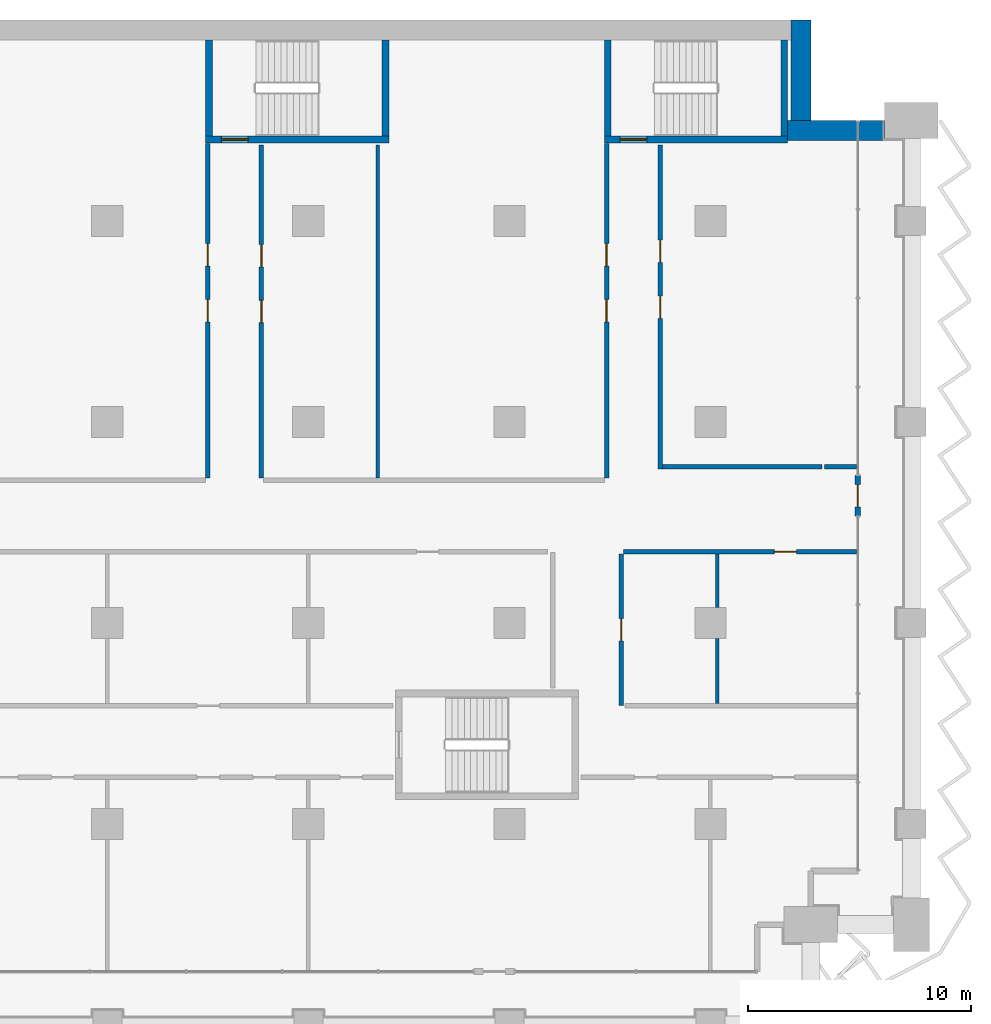
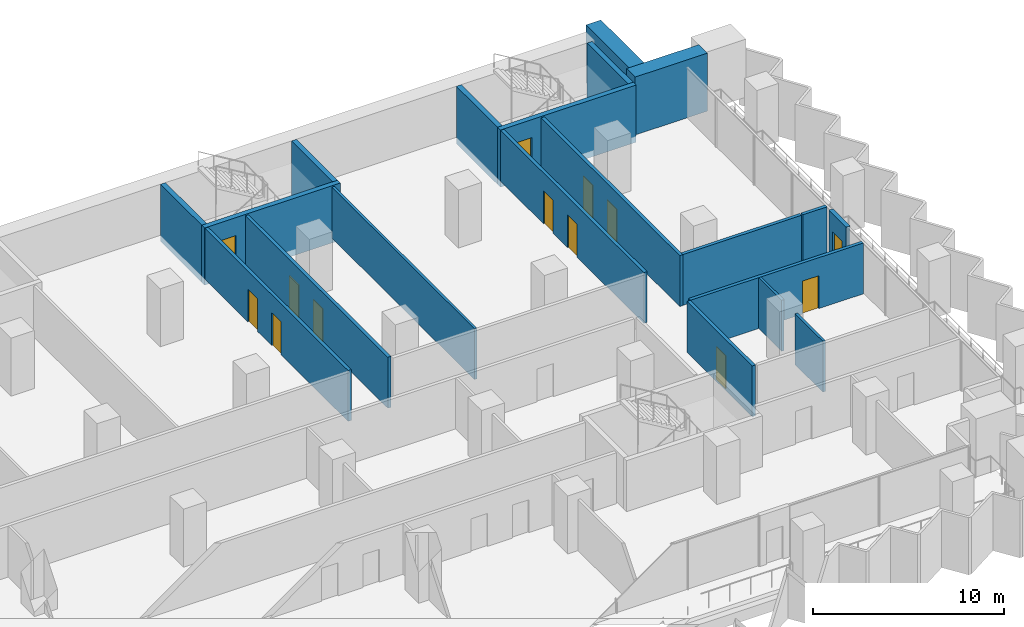
# One storey, part 18 of 28: 20 walls, 13 doors, 13 openings.
"""IFC4 building model written with IfcOpenShell, lengths in metres."""

from ifc_helpers import new_model, si_unit, direction, frame, frame_2d, origin, place, context, subcontext, project, spatial, rectangle, extrude, material, layer, layer_set, type_object, element, fill, save


model = new_model("IFC4")

# Units and contexts
model_context = context("Model", 3, precision=1e-05, world=origin(), true_north=direction((0.0, 1.0)))
body_context = subcontext(model_context, "Body", "Model", "MODEL_VIEW")
ifc_project = project(units=[si_unit("LENGTHUNIT", "METRE"), si_unit("AREAUNIT", "SQUARE_METRE"), si_unit("VOLUMEUNIT", "CUBIC_METRE"), si_unit("PLANEANGLEUNIT", "RADIAN"), si_unit("MASSUNIT", "GRAM", prefix="KILO")], contexts=[model_context])

# Site, building, storey
site_placement = place(None, origin())
site = spatial("IfcSite", under=ifc_project, at=site_placement, CompositionType="ELEMENT")
building_placement = place(site_placement, origin())
building = spatial("IfcBuilding", under=site, at=building_placement, Name="Hunhe Ridgeline Campus", CompositionType="ELEMENT")
storey_placement = place(building_placement, frame((0.0, 0.0, 76.5)))
storey = spatial("IfcBuildingStorey", under=building, at=storey_placement, Name="L18", CompositionType="ELEMENT", Elevation=76.5)

# Wall, opening, door
ifc_material_1 = material(Name="Gypsum board partition")
ifc_layer_1 = layer(ifc_material_1, 0.199951171875)
ifc_layer_set_1 = layer_set([ifc_layer_1], Name="Corridor partition 200 gypsum board on steel studs")
wall_type_1 = type_object("IfcWallType", Name="Corridor partition 200 gypsum board on steel studs", PredefinedType="PARTITIONING", material=ifc_layer_set_1)
wall_1_placement = place(storey_placement, frame((96.544921875, 75.199951171875, 0.0), z_axis=(0.0, 0.0, 1.0), x_axis=(-1.0, 0.0, 0.0)))
wall_1 = element("IfcWall", 1, at=wall_1_placement, inside=storey, type_object=wall_type_1, Name="F-L18-wall-038", PredefinedType="PARTITIONING", context=body_context, shape_type="SweptSolid", body=[
    extrude(rectangle(XDim=10.44482421875, YDim=0.199951171875, at=frame_2d((5.222412109375, 0.0))), origin(), (0.0, 0.0, 1.0), 3.25),
])
opening_1_placement = place(wall_1_placement, frame((2.6845703125, 0.0, 0.0)))
opening_1 = element("IfcOpeningElement", 2, at=opening_1_placement, cuts=wall_1, Name="Opening RD1-035", PredefinedType="OPENING", context=body_context, shape_type="SweptSolid", body=[
    extrude(rectangle(XDim=1.0, YDim=2.10009765625, at=frame_2d((0.5, 1.050048828125))), frame((0.0, 0.10009765625, 0.0), z_axis=(0.0, -1.0, 0.0), x_axis=(1.0, 0.0, 0.0)), (0.0, 0.0, 1.0), 0.199951171875),
])
ifc_material_2 = material(Name="Timber door leaf", Category="wood")
door_type_1 = type_object("IfcDoorType", Name="Single fire door 1000x2100 timber FD60", OperationType="NOTDEFINED", PredefinedType="DOOR", material=ifc_material_2)
door_1_placement = place(opening_1_placement, origin())
door_1 = element("IfcDoor", 3, at=door_1_placement, inside=storey, type_object=door_type_1, Name="F-L18-door-035", OperationType="SINGLE_SWING_RIGHT", OverallHeight=2.10009765625, OverallWidth=1.0, PredefinedType="DOOR", context=body_context, shape_type="SweptSolid", body=[
    extrude(rectangle(XDim=1.0, YDim=2.10009765625, at=frame_2d((0.5, 1.050048828125))), frame((0.0, 0.02490234375, 0.0), z_axis=(0.0, -1.0, 0.0), x_axis=(1.0, 0.0, 0.0)), (0.0, 0.0, 1.0), 0.050048828125),
])
fill(opening_1, door_1)

# Walls
wall_2_placement = place(storey_placement, frame((87.85009765625, 79.0009765625, 0.0), z_axis=(0.0, 0.0, 1.0), x_axis=(1.0, 0.0, 0.0)))
element("IfcWall", 4, at=wall_2_placement, inside=storey, type_object=wall_type_1, Name="F-L18-wall-041", PredefinedType="PARTITIONING", context=body_context, shape_type="SweptSolid", body=[
    extrude(rectangle(XDim=7.14892578125, YDim=0.199951171875, at=frame_2d((3.574462890625, 0.0))), origin(), (0.0, 0.0, 1.0), 3.25),
])
wall_3_placement = place(storey_placement, frame((95.09912109375, 79.0009765625, 0.0), z_axis=(0.0, 0.0, 1.0), x_axis=(1.0, 0.0, 0.0)))
element("IfcWall", 5, at=wall_3_placement, inside=storey, type_object=wall_type_1, Name="F-L18-wall-042", PredefinedType="PARTITIONING", context=body_context, shape_type="SweptSolid", body=[
    extrude(rectangle(XDim=1.44580078125, YDim=0.199951171875, at=frame_2d((0.722900390625, 0.0))), origin(), (0.0, 0.0, 1.0), 3.25),
])

# Wall, openings, doors
wall_4_placement = place(storey_placement, frame((67.5, 78.5, 0.0), z_axis=(0.0, 0.0, 1.0), x_axis=(0.0, 1.0, 0.0)))
wall_4 = element("IfcWall", 6, at=wall_4_placement, inside=storey, type_object=wall_type_1, Name="F-L18-wall-078", PredefinedType="PARTITIONING", context=body_context, shape_type="SweptSolid", body=[
    extrude(rectangle(XDim=14.969970703125, YDim=0.199951171875, at=frame_2d((7.48486328125, 0.0))), origin(), (0.0, 0.0, 1.0), 3.25),
])
opening_2_placement = place(wall_4_placement, frame((6.985107421875, 0.0, 0.0)))
opening_2 = element("IfcOpeningElement", 7, at=opening_2_placement, cuts=wall_4, Name="Opening RD1-040", PredefinedType="OPENING", context=body_context, shape_type="SweptSolid", body=[
    extrude(rectangle(XDim=1.0, YDim=2.10009765625, at=frame_2d((0.5, 1.050048828125))), frame((0.0, 0.10009765625, 0.0), z_axis=(0.0, -1.0, 0.0), x_axis=(1.0, 0.0, 0.0)), (0.0, 0.0, 1.0), 0.199951171875),
])
opening_3_placement = place(wall_4_placement, frame((9.485107421875, 0.0, 0.0)))
opening_3 = element("IfcOpeningElement", 8, at=opening_3_placement, cuts=wall_4, Name="Opening RD1-045", PredefinedType="OPENING", context=body_context, shape_type="SweptSolid", body=[
    extrude(rectangle(XDim=1.0, YDim=2.10009765625, at=frame_2d((0.5, 1.050048828125))), frame((0.0, 0.10009765625, 0.0), z_axis=(0.0, -1.0, 0.0), x_axis=(1.0, 0.0, 0.0)), (0.0, 0.0, 1.0), 0.199951171875),
])
door_2_placement = place(opening_2_placement, frame((1.0, 0.0, 0.0), z_axis=(0.0, 0.0, 1.0), x_axis=(-1.0, 0.0, 0.0)))
door_2 = element("IfcDoor", 9, at=door_2_placement, inside=storey, type_object=door_type_1, Name="F-L18-door-040", OperationType="SINGLE_SWING_LEFT", OverallHeight=2.10009765625, OverallWidth=1.0, PredefinedType="DOOR", context=body_context, shape_type="SweptSolid", body=[
    extrude(rectangle(XDim=1.0, YDim=2.10009765625, at=frame_2d((0.5, 1.050048828125))), frame((0.0, 0.02490234375, 0.0), z_axis=(0.0, -1.0, 0.0), x_axis=(1.0, 0.0, 0.0)), (0.0, 0.0, 1.0), 0.050048828125),
])
fill(opening_2, door_2)
door_3_placement = place(opening_3_placement, frame((1.0, 0.0, 0.0), z_axis=(0.0, 0.0, 1.0), x_axis=(-1.0, 0.0, 0.0)))
door_3 = element("IfcDoor", 10, at=door_3_placement, inside=storey, type_object=door_type_1, Name="F-L18-door-045", OperationType="SINGLE_SWING_LEFT", OverallHeight=2.10009765625, OverallWidth=1.0, PredefinedType="DOOR", context=body_context, shape_type="SweptSolid", body=[
    extrude(rectangle(XDim=1.0, YDim=2.10009765625, at=frame_2d((0.5, 1.050048828125))), frame((0.0, 0.02490234375, 0.0), z_axis=(0.0, -1.0, 0.0), x_axis=(1.0, 0.0, 0.0)), (0.0, 0.0, 1.0), 0.050048828125),
])
fill(opening_3, door_3)

wall_5_placement = place(storey_placement, frame((69.89990234375, 93.39599609375, 0.0), z_axis=(0.0, 0.0, 1.0), x_axis=(0.0, -1.0, 0.0)))
wall_5 = element("IfcWall", 11, at=wall_5_placement, inside=storey, type_object=wall_type_1, Name="F-L18-wall-079", PredefinedType="PARTITIONING", context=body_context, shape_type="SweptSolid", body=[
    extrude(rectangle(XDim=14.89599609375, YDim=0.199951171875, at=frame_2d((7.447998046875, 0.0))), origin(), (0.0, 0.0, 1.0), 3.25),
])
opening_4_placement = place(wall_5_placement, frame((6.947998046875, 0.0, 0.0)))
opening_4 = element("IfcOpeningElement", 12, at=opening_4_placement, cuts=wall_5, Name="Opening RD1-039", PredefinedType="OPENING", context=body_context, shape_type="SweptSolid", body=[
    extrude(rectangle(XDim=1.0, YDim=2.10009765625, at=frame_2d((0.5, 1.050048828125))), frame((0.0, 0.10009765625, 0.0), z_axis=(0.0, -1.0, 0.0), x_axis=(1.0, 0.0, 0.0)), (0.0, 0.0, 1.0), 0.199951171875),
])
opening_5_placement = place(wall_5_placement, frame((4.447998046875, 0.0, 0.0)))
opening_5 = element("IfcOpeningElement", 13, at=opening_5_placement, cuts=wall_5, Name="Opening RD1-044", PredefinedType="OPENING", context=body_context, shape_type="SweptSolid", body=[
    extrude(rectangle(XDim=1.0, YDim=2.10009765625, at=frame_2d((0.5, 1.050048828125))), frame((0.0, 0.10009765625, 0.0), z_axis=(0.0, -1.0, 0.0), x_axis=(1.0, 0.0, 0.0)), (0.0, 0.0, 1.0), 0.199951171875),
])
door_4_placement = place(opening_4_placement, frame((1.0, 0.0, 0.0), z_axis=(0.0, 0.0, 1.0), x_axis=(-1.0, 0.0, 0.0)))
door_4 = element("IfcDoor", 14, at=door_4_placement, inside=storey, type_object=door_type_1, Name="F-L18-door-039", OperationType="SINGLE_SWING_RIGHT", OverallHeight=2.10009765625, OverallWidth=1.0, PredefinedType="DOOR", context=body_context, shape_type="SweptSolid", body=[
    extrude(rectangle(XDim=1.0, YDim=2.10009765625, at=frame_2d((0.5, 1.050048828125))), frame((0.0, 0.02490234375, 0.0), z_axis=(0.0, -1.0, 0.0), x_axis=(1.0, 0.0, 0.0)), (0.0, 0.0, 1.0), 0.050048828125),
])
fill(opening_4, door_4)
door_5_placement = place(opening_5_placement, frame((1.0, 0.0, 0.0), z_axis=(0.0, 0.0, 1.0), x_axis=(-1.0, 0.0, 0.0)))
door_5 = element("IfcDoor", 15, at=door_5_placement, inside=storey, type_object=door_type_1, Name="F-L18-door-044", OperationType="SINGLE_SWING_RIGHT", OverallHeight=2.10009765625, OverallWidth=1.0, PredefinedType="DOOR", context=body_context, shape_type="SweptSolid", body=[
    extrude(rectangle(XDim=1.0, YDim=2.10009765625, at=frame_2d((0.5, 1.050048828125))), frame((0.0, 0.02490234375, 0.0), z_axis=(0.0, -1.0, 0.0), x_axis=(1.0, 0.0, 0.0)), (0.0, 0.0, 1.0), 0.050048828125),
])
fill(opening_5, door_5)

wall_6_placement = place(storey_placement, frame((85.35009765625, 78.5, 0.0), z_axis=(0.0, 0.0, 1.0), x_axis=(0.0, 1.0, 0.0)))
wall_6 = element("IfcWall", 16, at=wall_6_placement, inside=storey, type_object=wall_type_1, Name="F-L18-wall-086", PredefinedType="PARTITIONING", context=body_context, shape_type="SweptSolid", body=[
    extrude(rectangle(XDim=14.969970703125, YDim=0.199951171875, at=frame_2d((7.48486328125, 0.0))), origin(), (0.0, 0.0, 1.0), 3.25),
])
opening_6_placement = place(wall_6_placement, frame((6.985107421875, 0.0, 0.0)))
opening_6 = element("IfcOpeningElement", 17, at=opening_6_placement, cuts=wall_6, Name="Opening RD1-041", PredefinedType="OPENING", context=body_context, shape_type="SweptSolid", body=[
    extrude(rectangle(XDim=1.0, YDim=2.10009765625, at=frame_2d((0.5, 1.050048828125))), frame((0.0, 0.10009765625, 0.0), z_axis=(0.0, -1.0, 0.0), x_axis=(1.0, 0.0, 0.0)), (0.0, 0.0, 1.0), 0.199951171875),
])
opening_7_placement = place(wall_6_placement, frame((9.485107421875, 0.0, 0.0)))
opening_7 = element("IfcOpeningElement", 18, at=opening_7_placement, cuts=wall_6, Name="Opening RD1-046", PredefinedType="OPENING", context=body_context, shape_type="SweptSolid", body=[
    extrude(rectangle(XDim=1.0, YDim=2.10009765625, at=frame_2d((0.5, 1.050048828125))), frame((0.0, 0.10009765625, 0.0), z_axis=(0.0, -1.0, 0.0), x_axis=(1.0, 0.0, 0.0)), (0.0, 0.0, 1.0), 0.199951171875),
])
door_6_placement = place(opening_6_placement, frame((1.0, 0.0, 0.0), z_axis=(0.0, 0.0, 1.0), x_axis=(-1.0, 0.0, 0.0)))
door_6 = element("IfcDoor", 19, at=door_6_placement, inside=storey, type_object=door_type_1, Name="F-L18-door-041", OperationType="SINGLE_SWING_LEFT", OverallHeight=2.10009765625, OverallWidth=1.0, PredefinedType="DOOR", context=body_context, shape_type="SweptSolid", body=[
    extrude(rectangle(XDim=1.0, YDim=2.10009765625, at=frame_2d((0.5, 1.050048828125))), frame((0.0, 0.02490234375, 0.0), z_axis=(0.0, -1.0, 0.0), x_axis=(1.0, 0.0, 0.0)), (0.0, 0.0, 1.0), 0.050048828125),
])
fill(opening_6, door_6)
door_7_placement = place(opening_7_placement, frame((1.0, 0.0, 0.0), z_axis=(0.0, 0.0, 1.0), x_axis=(-1.0, 0.0, 0.0)))
door_7 = element("IfcDoor", 20, at=door_7_placement, inside=storey, type_object=door_type_1, Name="F-L18-door-046", OperationType="SINGLE_SWING_LEFT", OverallHeight=2.10009765625, OverallWidth=1.0, PredefinedType="DOOR", context=body_context, shape_type="SweptSolid", body=[
    extrude(rectangle(XDim=1.0, YDim=2.10009765625, at=frame_2d((0.5, 1.050048828125))), frame((0.0, 0.02490234375, 0.0), z_axis=(0.0, -1.0, 0.0), x_axis=(1.0, 0.0, 0.0)), (0.0, 0.0, 1.0), 0.050048828125),
])
fill(opening_7, door_7)

# Wall, opening, door
wall_7_placement = place(storey_placement, frame((86.0, 75.10009765625, 0.0), z_axis=(0.0, 0.0, 1.0), x_axis=(0.0, -1.0, 0.0)))
wall_7 = element("IfcWall", 21, at=wall_7_placement, inside=storey, type_object=wall_type_1, Name="F-L18-wall-087", PredefinedType="PARTITIONING", context=body_context, shape_type="SweptSolid", body=[
    extrude(rectangle(XDim=6.800048828125, YDim=0.199951171875, at=frame_2d((3.39990234375, 0.0))), origin(), (0.0, 0.0, 1.0), 3.25),
])
opening_8_placement = place(wall_7_placement, frame((2.89990234375, 0.0, 0.0)))
opening_8 = element("IfcOpeningElement", 22, at=opening_8_placement, cuts=wall_7, Name="Opening RD1-033", PredefinedType="OPENING", context=body_context, shape_type="SweptSolid", body=[
    extrude(rectangle(XDim=1.0, YDim=2.10009765625, at=frame_2d((0.5, 1.050048828125))), frame((0.0, 0.10009765625, 0.0), z_axis=(0.0, -1.0, 0.0), x_axis=(1.0, 0.0, 0.0)), (0.0, 0.0, 1.0), 0.199951171875),
])
door_8_placement = place(opening_8_placement, origin())
door_8 = element("IfcDoor", 23, at=door_8_placement, inside=storey, type_object=door_type_1, Name="F-L18-door-033", OperationType="SINGLE_SWING_LEFT", OverallHeight=2.10009765625, OverallWidth=1.0, PredefinedType="DOOR", context=body_context, shape_type="SweptSolid", body=[
    extrude(rectangle(XDim=1.0, YDim=2.10009765625, at=frame_2d((0.5, 1.050048828125))), frame((0.0, 0.02490234375, 0.0), z_axis=(0.0, -1.0, 0.0), x_axis=(1.0, 0.0, 0.0)), (0.0, 0.0, 1.0), 0.050048828125),
])
fill(opening_8, door_8)

# Wall, openings, doors
wall_8_placement = place(storey_placement, frame((87.75, 93.39599609375, 0.0), z_axis=(0.0, 0.0, 1.0), x_axis=(0.0, -1.0, 0.0)))
wall_8 = element("IfcWall", 24, at=wall_8_placement, inside=storey, type_object=wall_type_1, Name="F-L18-wall-088", PredefinedType="PARTITIONING", context=body_context, shape_type="SweptSolid", body=[
    extrude(rectangle(XDim=14.50537109375, YDim=0.199951171875, at=frame_2d((7.252685546875, 0.0))), origin(), (0.0, 0.0, 1.0), 3.25),
])
opening_9_placement = place(wall_8_placement, frame((6.752685546875, 0.0, 0.0)))
opening_9 = element("IfcOpeningElement", 25, at=opening_9_placement, cuts=wall_8, Name="Opening RD1-042", PredefinedType="OPENING", context=body_context, shape_type="SweptSolid", body=[
    extrude(rectangle(XDim=1.0, YDim=2.10009765625, at=frame_2d((0.5, 1.050048828125))), frame((0.0, 0.10009765625, 0.0), z_axis=(0.0, -1.0, 0.0), x_axis=(1.0, 0.0, 0.0)), (0.0, 0.0, 1.0), 0.199951171875),
])
opening_10_placement = place(wall_8_placement, frame((4.252685546875, 0.0, 0.0)))
opening_10 = element("IfcOpeningElement", 26, at=opening_10_placement, cuts=wall_8, Name="Opening RD1-047", PredefinedType="OPENING", context=body_context, shape_type="SweptSolid", body=[
    extrude(rectangle(XDim=1.0, YDim=2.10009765625, at=frame_2d((0.5, 1.050048828125))), frame((0.0, 0.10009765625, 0.0), z_axis=(0.0, -1.0, 0.0), x_axis=(1.0, 0.0, 0.0)), (0.0, 0.0, 1.0), 0.199951171875),
])
door_9_placement = place(opening_9_placement, frame((1.0, 0.0, 0.0), z_axis=(0.0, 0.0, 1.0), x_axis=(-1.0, 0.0, 0.0)))
door_9 = element("IfcDoor", 27, at=door_9_placement, inside=storey, type_object=door_type_1, Name="F-L18-door-042", OperationType="SINGLE_SWING_RIGHT", OverallHeight=2.10009765625, OverallWidth=1.0, PredefinedType="DOOR", context=body_context, shape_type="SweptSolid", body=[
    extrude(rectangle(XDim=1.0, YDim=2.10009765625, at=frame_2d((0.5, 1.050048828125))), frame((0.0, 0.02490234375, 0.0), z_axis=(0.0, -1.0, 0.0), x_axis=(1.0, 0.0, 0.0)), (0.0, 0.0, 1.0), 0.050048828125),
])
fill(opening_9, door_9)
door_10_placement = place(opening_10_placement, frame((1.0, 0.0, 0.0), z_axis=(0.0, 0.0, 1.0), x_axis=(-1.0, 0.0, 0.0)))
door_10 = element("IfcDoor", 28, at=door_10_placement, inside=storey, type_object=door_type_1, Name="F-L18-door-047", OperationType="SINGLE_SWING_RIGHT", OverallHeight=2.10009765625, OverallWidth=1.0, PredefinedType="DOOR", context=body_context, shape_type="SweptSolid", body=[
    extrude(rectangle(XDim=1.0, YDim=2.10009765625, at=frame_2d((0.5, 1.050048828125))), frame((0.0, 0.02490234375, 0.0), z_axis=(0.0, -1.0, 0.0), x_axis=(1.0, 0.0, 0.0)), (0.0, 0.0, 1.0), 0.050048828125),
])
fill(opening_10, door_10)

# Wall, opening, door
ifc_material_3 = material(Name="Concrete C30", Category="concrete")
ifc_layer_2 = layer(ifc_material_3, 0.25)
ifc_layer_set_2 = layer_set([ifc_layer_2], Name="Loggia door pier wall 250 Concrete C30")
wall_type_2 = type_object("IfcWallType", Name="Loggia door pier wall 250 Concrete C30", PredefinedType="SOLIDWALL", material=ifc_layer_set_2)
wall_9_placement = place(storey_placement, frame((96.59912109375, 76.800537109375, 0.0), z_axis=(0.0, 0.0, 1.0), x_axis=(0.0, 1.0, 0.0)))
wall_9 = element("IfcWall", 29, at=wall_9_placement, inside=storey, type_object=wall_type_2, Name="Loggia door pier 5", PredefinedType="SOLIDWALL", context=body_context, shape_type="SweptSolid", body=[
    extrude(rectangle(XDim=1.800048828125, YDim=0.25, at=frame_2d((0.89990234375, 0.0))), origin(), (0.0, 0.0, 1.0), 3.25),
])
opening_11_placement = place(wall_9_placement, frame((0.39990234375, 0.0, 0.0)))
opening_11 = element("IfcOpeningElement", 30, at=opening_11_placement, cuts=wall_9, Name="Opening BD108", PredefinedType="OPENING", context=body_context, shape_type="SweptSolid", body=[
    extrude(rectangle(XDim=1.0, YDim=2.10009765625, at=frame_2d((0.5, 1.050048828125))), frame((0.0, 0.125, 0.0), z_axis=(0.0, -1.0, 0.0), x_axis=(1.0, 0.0, 0.0)), (0.0, 0.0, 1.0), 0.25),
])
ifc_material_4 = material(Name="Aluminium 6063", Category="aluminium")
door_type_2 = type_object("IfcDoorType", Name="Loggia glazed door 1000x2100", OperationType="NOTDEFINED", PredefinedType="DOOR", material=ifc_material_4)
door_11_placement = place(opening_11_placement, frame((1.0, 0.0, 0.0), z_axis=(0.0, 0.0, 1.0), x_axis=(-1.0, 0.0, 0.0)))
door_11 = element("IfcDoor", 31, at=door_11_placement, inside=storey, type_object=door_type_2, Name="Loggia door BD108", OperationType="SINGLE_SWING_LEFT", OverallHeight=2.10009765625, OverallWidth=1.0, PredefinedType="DOOR", context=body_context, shape_type="SweptSolid", body=[
    extrude(rectangle(XDim=1.0, YDim=2.10009765625, at=frame_2d((0.5, 1.050048828125))), frame((0.0, 0.02490234375, 0.0), z_axis=(0.0, -1.0, 0.0), x_axis=(1.0, 0.0, 0.0)), (0.0, 0.0, 1.0), 0.050048828125),
])
fill(opening_11, door_11)

# Walls
ifc_layer_3 = layer(ifc_material_1, 0.14990234375)
ifc_layer_set_3 = layer_set([ifc_layer_3], Name="Room partition 150 gypsum board on steel studs")
wall_type_3 = type_object("IfcWallType", Name="Room partition 150 gypsum board on steel studs", PredefinedType="PARTITIONING", material=ifc_layer_set_3)
wall_10_placement = place(storey_placement, frame((75.10009765625, 93.39599609375, 0.0), z_axis=(0.0, 0.0, 1.0), x_axis=(0.0, -1.0, 0.0)))
element("IfcWall", 32, at=wall_10_placement, inside=storey, type_object=wall_type_3, Name="F-L18-wall-084", PredefinedType="PARTITIONING", context=body_context, shape_type="SweptSolid", body=[
    extrude(rectangle(XDim=14.89599609375, YDim=0.14990234375, at=frame_2d((7.447998046875, 0.0))), origin(), (0.0, 0.0, 1.0), 3.25),
])
wall_11_placement = place(storey_placement, frame((90.300048828125, 71.300048828125, 0.0), z_axis=(0.0, 0.0, 1.0), x_axis=(0.0, -1.0, 0.0)))
element("IfcWall", 33, at=wall_11_placement, inside=storey, type_object=wall_type_3, Name="F-L18-wall-091", PredefinedType="PARTITIONING", context=body_context, shape_type="SweptSolid", body=[
    extrude(rectangle(XDim=2.900146484375, YDim=0.14990234375, at=frame_2d((1.4501953125, 0.0))), origin(), (0.0, 0.0, 1.0), 3.25),
])
wall_12_placement = place(storey_placement, frame((90.300048828125, 75.10009765625, 0.0), z_axis=(0.0, 0.0, 1.0), x_axis=(0.0, -1.0, 0.0)))
element("IfcWall", 34, at=wall_12_placement, inside=storey, type_object=wall_type_3, Name="F-L18-wall-092", PredefinedType="PARTITIONING", context=body_context, shape_type="SweptSolid", body=[
    extrude(rectangle(XDim=2.400146484375, YDim=0.14990234375, at=frame_2d((1.2001953125, 0.0))), origin(), (0.0, 0.0, 1.0), 3.25),
])
ifc_material_5 = material(Name="Concrete C80", Category="concrete")
ifc_layer_4 = layer(ifc_material_5, 0.89990234375)
ifc_layer_set_4 = layer_set([ifc_layer_4], Name="Spine wall 900 Concrete C80")
wall_type_4 = type_object("IfcWallType", Name="Spine wall 900 Concrete C80", PredefinedType="SHEAR", material=ifc_layer_set_4)
wall_13_placement = place(storey_placement, frame((97.800048828125, 94.050048828125, 0.0), z_axis=(0.0, 0.0, 1.0), x_axis=(-1.0, 0.0, 0.0)))
element("IfcWall", 35, at=wall_13_placement, inside=storey, type_object=wall_type_4, Name="Spine wall SW1-2 L18", PredefinedType="SHEAR", context=body_context, shape_type="SweptSolid", body=[
    extrude(rectangle(XDim=4.3505859375, YDim=0.89990234375, at=frame_2d((2.17529296875, 0.0))), origin(), (0.0, 0.0, 1.0), 3.699951171875),
])
wall_14_placement = place(storey_placement, frame((94.050048828125, 93.60009765625, 0.0), z_axis=(0.0, 0.0, 1.0), x_axis=(0.0, 1.0, 0.0)))
element("IfcWall", 36, at=wall_14_placement, inside=storey, type_object=wall_type_4, Name="Spine wall SW1-3 L18", PredefinedType="SHEAR", context=body_context, shape_type="SweptSolid", body=[
    extrude(rectangle(XDim=5.39990234375, YDim=0.89990234375, at=frame_2d((2.699951171875, 0.0))), origin(), (0.0, 0.0, 1.0), 3.699951171875),
])

# Wall, opening, door
ifc_layer_5 = layer(ifc_material_5, 0.300048828125)
ifc_layer_set_5 = layer_set([ifc_layer_5], Name="Stair wall 300 reinforced concrete C80")
wall_type_5 = type_object("IfcWallType", Name="Stair wall 300 reinforced concrete C80", PredefinedType="SOLIDWALL", material=ifc_layer_set_5)
wall_15_placement = place(storey_placement, frame((67.39990234375, 93.64990234375, -0.39990234375), z_axis=(0.0, 0.0, 1.0), x_axis=(1.0, 0.0, 0.0)))
wall_15 = element("IfcWall", 37, at=wall_15_placement, inside=storey, type_object=wall_type_5, Name="L18 core wall 32", PredefinedType="SOLIDWALL", context=body_context, shape_type="SweptSolid", body=[
    extrude(rectangle(XDim=8.2001953125, YDim=0.300048828125, at=frame_2d((4.10009765625, 0.0))), origin(), (0.0, 0.0, 1.0), 3.64990234375),
])
opening_12_placement = place(wall_15_placement, frame((0.699951171875, 0.0, 0.39990234375)))
opening_12 = element("IfcOpeningElement", 38, at=opening_12_placement, cuts=wall_15, Name="Opening CD19", PredefinedType="OPENING", context=body_context, shape_type="SweptSolid", body=[
    extrude(rectangle(XDim=1.199951171875, YDim=2.10009765625, at=frame_2d((0.60009765625, 1.050048828125))), frame((0.0, 0.14990234375, 0.0), z_axis=(0.0, -1.0, 0.0), x_axis=(1.0, 0.0, 0.0)), (0.0, 0.0, 1.0), 0.300048828125),
])
ifc_material_6 = material(Name="Hollow metal fire door leaf")
door_type_3 = type_object("IfcDoorType", Name="Stair door 1200x2100 FD60", OperationType="SINGLE_SWING_LEFT", PredefinedType="DOOR", material=ifc_material_6)
door_12_placement = place(opening_12_placement, frame((1.199951171875, 0.0, 0.0), z_axis=(0.0, 0.0, 1.0), x_axis=(-1.0, 0.0, 0.0)))
door_12 = element("IfcDoor", 39, at=door_12_placement, inside=storey, type_object=door_type_3, Name="L18 door E3", OperationType="SINGLE_SWING_RIGHT", OverallHeight=2.10009765625, OverallWidth=1.199951171875, PredefinedType="DOOR", context=body_context, shape_type="SweptSolid", body=[
    extrude(rectangle(XDim=1.199951171875, YDim=2.10009765625, at=frame_2d((0.60009765625, 1.050048828125))), frame((0.0, 0.02490234375, 0.0), z_axis=(0.0, -1.0, 0.0), x_axis=(1.0, 0.0, 0.0)), (0.0, 0.0, 1.0), 0.050048828125),
])
fill(opening_12, door_12)

wall_16_placement = place(storey_placement, frame((85.25, 93.64990234375, -0.39990234375), z_axis=(0.0, 0.0, 1.0), x_axis=(1.0, 0.0, 0.0)))
wall_16 = element("IfcWall", 40, at=wall_16_placement, inside=storey, type_object=wall_type_5, Name="L18 core wall 33", PredefinedType="SOLIDWALL", context=body_context, shape_type="SweptSolid", body=[
    extrude(rectangle(XDim=8.199951171875, YDim=0.300048828125, at=frame_2d((4.10009765625, 0.0))), origin(), (0.0, 0.0, 1.0), 3.64990234375),
])
opening_13_placement = place(wall_16_placement, frame((0.699951171875, 0.0, 0.39990234375)))
opening_13 = element("IfcOpeningElement", 41, at=opening_13_placement, cuts=wall_16, Name="Opening CD20", PredefinedType="OPENING", context=body_context, shape_type="SweptSolid", body=[
    extrude(rectangle(XDim=1.199951171875, YDim=2.10009765625, at=frame_2d((0.60009765625, 1.050048828125))), frame((0.0, 0.14990234375, 0.0), z_axis=(0.0, -1.0, 0.0), x_axis=(1.0, 0.0, 0.0)), (0.0, 0.0, 1.0), 0.300048828125),
])
door_13_placement = place(opening_13_placement, frame((1.199951171875, 0.0, 0.0), z_axis=(0.0, 0.0, 1.0), x_axis=(-1.0, 0.0, 0.0)))
door_13 = element("IfcDoor", 42, at=door_13_placement, inside=storey, type_object=door_type_3, Name="L18 door E4", OperationType="SINGLE_SWING_LEFT", OverallHeight=2.10009765625, OverallWidth=1.199951171875, PredefinedType="DOOR", context=body_context, shape_type="SweptSolid", body=[
    extrude(rectangle(XDim=1.199951171875, YDim=2.10009765625, at=frame_2d((0.60009765625, 1.050048828125))), frame((0.0, 0.02490234375, 0.0), z_axis=(0.0, -1.0, 0.0), x_axis=(1.0, 0.0, 0.0)), (0.0, 0.0, 1.0), 0.050048828125),
])
fill(opening_13, door_13)

# Walls
for number, where, z_axis, x_axis, name in (
    (43, (67.550048828125, 93.800048828125, -0.39990234375), (0.0, 0.0, 1.0), (0.0, 1.0, 0.0), "L18 core wall 69"),
    (44, (75.449951171875, 93.800048828125, -0.39990234375), (0.0, 0.0, 1.0), (0.0, 1.0, 0.0), "L18 core wall 70"),
    (45, (85.39990234375, 93.800048828125, -0.39990234375), (0.0, 0.0, 1.0), (0.0, 1.0, 0.0), "L18 core wall 73"),
    (46, (93.300048828125, 93.800048828125, -0.39990234375), (0.0, 0.0, 1.0), (0.0, 1.0, 0.0), "L18 core wall 74"),
):
    element("IfcWall", number, at=place(storey_placement, frame(where, z_axis=z_axis, x_axis=x_axis)), inside=storey, type_object=wall_type_5, Name=name, PredefinedType="SOLIDWALL", context=body_context, shape_type="SweptSolid", body=[
        extrude(rectangle(XDim=4.300048828125, YDim=0.300048828125, at=frame_2d((2.14990234375, 0.0))), origin(), (0.0, 0.0, 1.0), 3.64990234375),
    ])

save(model, "model.ifc")
